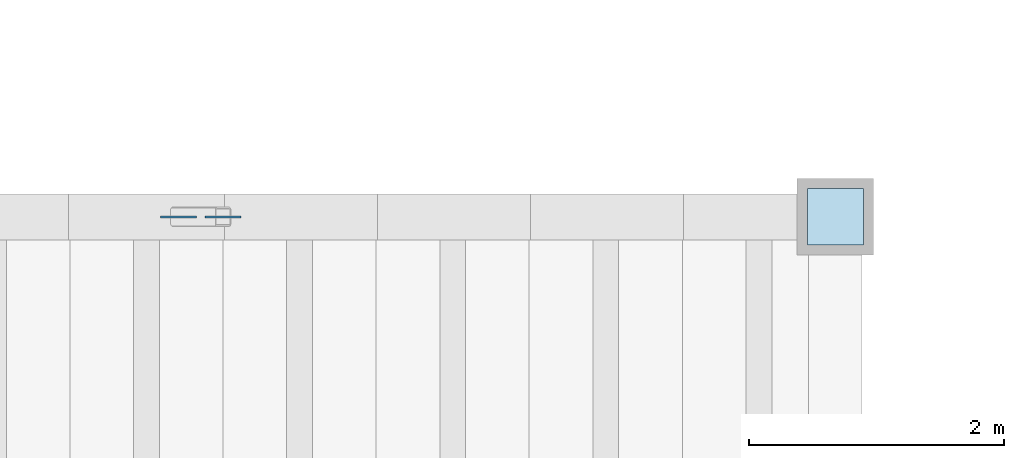
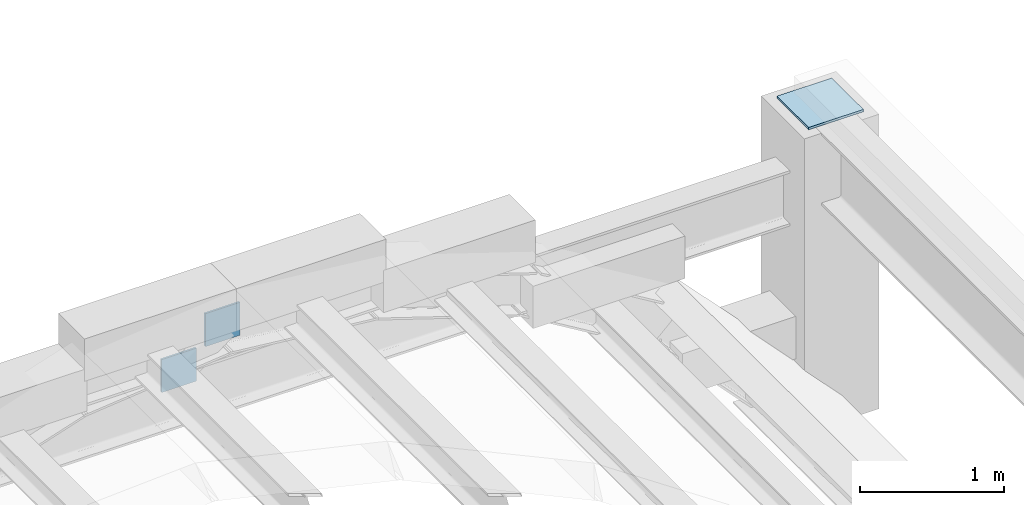
# One storey, part 68 of 70: 3 plates.
"""IFC4 building model written with IfcOpenShell, lengths in metres."""

from ifc_helpers import new_model, si_unit, direction, frame, origin, origin_2d, place, context, subcontext, project, spatial, rectangle, extrude, material, layer, layer_set, type_object, element, save


model = new_model("IFC4")

# Units and contexts
model_context = context("Model", 3, precision=1e-05, world=origin(), true_north=direction((0.0, 1.0)))
body_context = subcontext(model_context, "Body", "Model", "MODEL_VIEW")
ifc_project = project(units=[si_unit("LENGTHUNIT", "METRE"), si_unit("AREAUNIT", "SQUARE_METRE"), si_unit("VOLUMEUNIT", "CUBIC_METRE"), si_unit("PLANEANGLEUNIT", "RADIAN"), si_unit("MASSUNIT", "GRAM", prefix="KILO")], contexts=[model_context])

# Site, building, storey
site_placement = place(None, origin())
site = spatial("IfcSite", under=ifc_project, at=site_placement, CompositionType="ELEMENT")
building_placement = place(site_placement, origin())
building = spatial("IfcBuilding", under=site, at=building_placement, Name="Mavantir Sound Aquarium", CompositionType="ELEMENT")
storey_placement = place(building_placement, frame((0.0, 0.0, 27.0)))
storey = spatial("IfcBuildingStorey", under=building, at=storey_placement, Name="RF", CompositionType="ELEMENT", Elevation=27.0)

# Plates
ifc_material = material(Name="Structural Steel ASTM A572 Gr50", Category="steel")
ifc_layer_1 = layer(ifc_material, 0.02001953125, Name="Structural Steel ASTM A572 Gr50")
ifc_layer_set_1 = layer_set([ifc_layer_1], Name="Structural Steel ASTM A572 Gr50")
plate_type_1 = type_object("IfcPlateType", Name="PLT-ENDCAP-20", PredefinedType="SHEET", material=ifc_layer_set_1)
plate_placement = place(storey_placement, frame((165.60009765625, 65.800048828125, -4.699951171875), z_axis=(0.0, 0.0, 1.0), x_axis=(1.0, 0.0, 0.0)))
element("IfcPlate", 1, at=plate_placement, inside=storey, type_object=plate_type_1, Name="Ridge column cap plate 7.66", PredefinedType="SHEET", context=body_context, shape_type="SweptSolid", body=[
    extrude(rectangle(XDim=0.43994140625, YDim=0.43994140625, at=origin_2d()), origin(), (0.0, 0.0, 1.0), 0.02001953125),
])
ifc_layer_2 = layer(ifc_material, 0.01611328125, Name="Structural Steel ASTM A572 Gr50")
ifc_layer_set_2 = layer_set([ifc_layer_2], Name="Structural Steel ASTM A572 Gr50")
plate_type_2 = type_object("IfcPlateType", Name="PLT-GUSSET-16", PredefinedType="SHEET", material=ifc_layer_set_2)
for number, where, z_axis, x_axis, name in (
    (2, (160.449951171875, 65.800048828125, -5.283203125), (0.0, 0.0, 1.0), (1.0, 0.0, 0.0), "Brace end gusset plate GP-01 159"),
    (3, (160.800048828125, 65.800048828125, -5.0166015625), (0.0, 0.0, 1.0), (1.0, 0.0, 0.0), "Brace end gusset plate GP-01 160"),
):
    element("IfcPlate", number, at=place(storey_placement, frame(where, z_axis=z_axis, x_axis=x_axis)), inside=storey, type_object=plate_type_2, Name=name, PredefinedType="SHEET", context=body_context, shape_type="SweptSolid", body=[
        extrude(rectangle(XDim=0.280029296875, YDim=0.01611328125, at=origin_2d()), origin(), (0.0, 0.0, 1.0), 0.280029296875),
    ])

save(model, "model.ifc")
